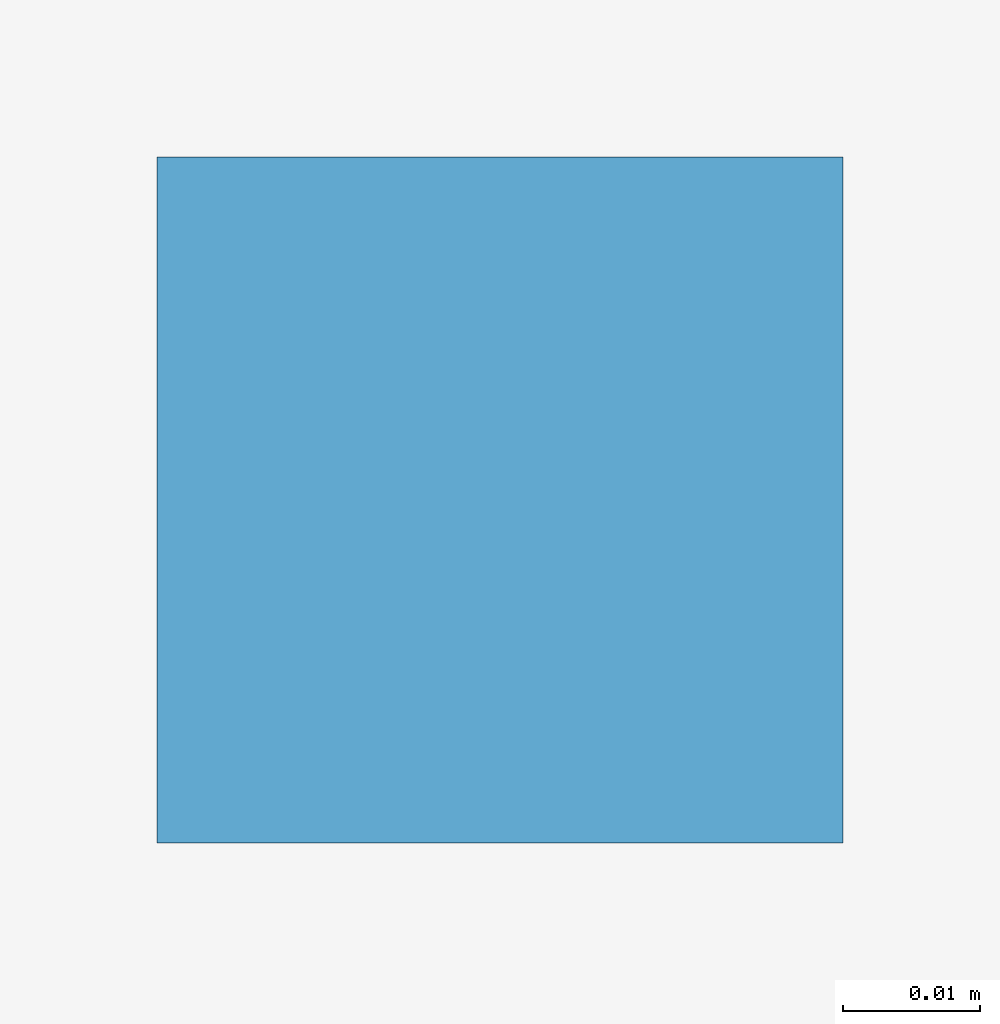
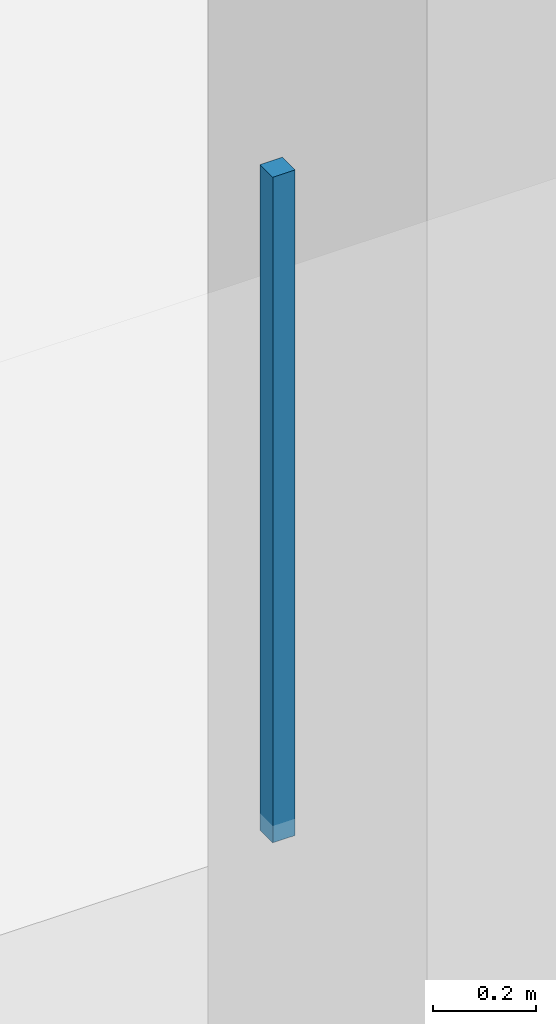
# One storey, part 20 of 26: 1 discrete accessory.
"""IFC4 building model written with IfcOpenShell, lengths in metres."""

from ifc_helpers import new_model, si_unit, direction, frame, origin, origin_2d, place, context, subcontext, project, spatial, rectangle, extrude, material, type_object, element, save


model = new_model("IFC4")

# Units and contexts
model_context = context("Model", 3, precision=1e-05, world=origin(), true_north=direction((0.0, 1.0)))
body_context = subcontext(model_context, "Body", "Model", "MODEL_VIEW")
ifc_project = project(units=[si_unit("LENGTHUNIT", "METRE"), si_unit("AREAUNIT", "SQUARE_METRE"), si_unit("VOLUMEUNIT", "CUBIC_METRE"), si_unit("PLANEANGLEUNIT", "RADIAN"), si_unit("MASSUNIT", "GRAM", prefix="KILO")], contexts=[model_context])

# Site, building, storey
site_placement = place(None, origin())
site = spatial("IfcSite", under=ifc_project, at=site_placement, CompositionType="ELEMENT")
building_placement = place(site_placement, origin())
building = spatial("IfcBuilding", under=site, at=building_placement, Name="Kazehaya Institute of Natural Sciences", CompositionType="ELEMENT")
storey_placement = place(building_placement, frame((0.0, 0.0, -5.39990234375)))
storey = spatial("IfcBuildingStorey", under=building, at=storey_placement, Name="B1", CompositionType="ELEMENT", Elevation=-5.39990234375)

# Discrete accessory
ifc_material = material(Name="Structural steel SN490B", Category="steel")
discrete_accessory_type = type_object("IfcDiscreteAccessoryType", Name="ACC-CLG-HGR", PredefinedType="BRACKET", material=ifc_material)
discrete_accessory_placement = place(storey_placement, frame((16.008544921875, 17.602294921875, 3.7421875), z_axis=(0.0, 0.0, 1.0), x_axis=(1.0, 0.0, 0.0)))
element("IfcDiscreteAccessory", 1, at=discrete_accessory_placement, inside=storey, type_object=discrete_accessory_type, Name="B1 ceiling suspension hanger 1", PredefinedType="BRACKET", context=body_context, shape_type="SweptSolid", body=[
    extrude(rectangle(XDim=0.050048828125, YDim=0.050048828125, at=origin_2d()), origin(), (0.0, 0.0, 1.0), 1.577392578125),
])

save(model, "model.ifc")
